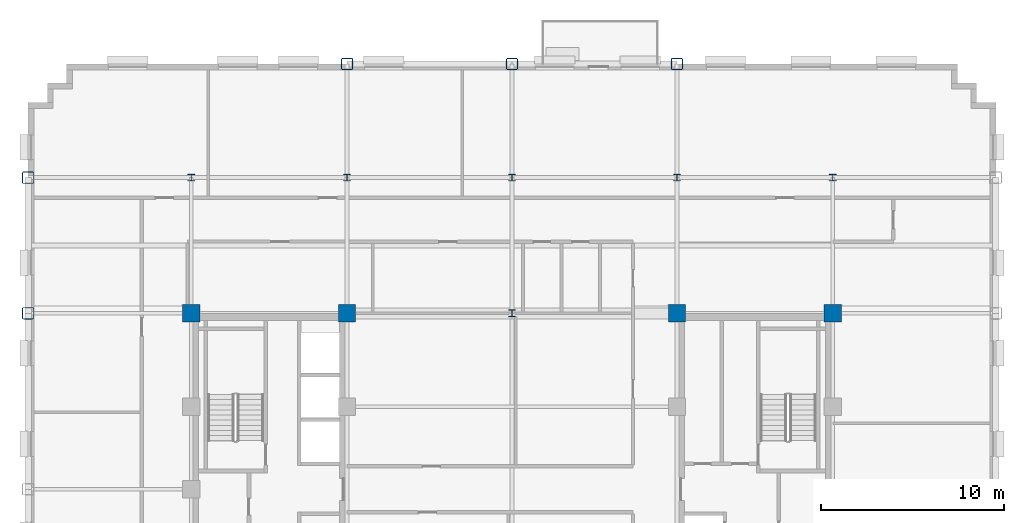
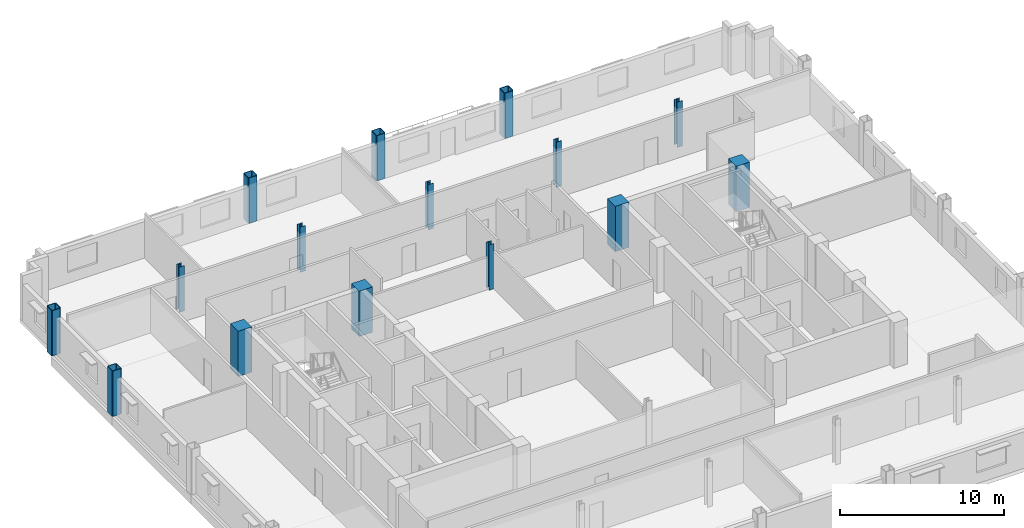
# One storey, part 3 of 14: 15 columns.
"""IFC4 building model written with IfcOpenShell, lengths in metres."""

from ifc_helpers import new_model, si_unit, direction, frame, origin, origin_2d, place, context, subcontext, project, spatial, rectangle, hollow_rectangle, i_section, extrude, material, material_profile, profile_set, type_object, element, save


model = new_model("IFC4")

# Units and contexts
model_context = context("Model", 3, precision=1e-05, world=origin(), true_north=direction((0.0, 1.0)))
body_context = subcontext(model_context, "Body", "Model", "MODEL_VIEW")
ifc_project = project(units=[si_unit("LENGTHUNIT", "METRE"), si_unit("AREAUNIT", "SQUARE_METRE"), si_unit("VOLUMEUNIT", "CUBIC_METRE"), si_unit("PLANEANGLEUNIT", "RADIAN"), si_unit("MASSUNIT", "GRAM", prefix="KILO")], contexts=[model_context])

# Site, building, storey
site_placement = place(None, origin())
site = spatial("IfcSite", under=ifc_project, at=site_placement, CompositionType="ELEMENT")
building_placement = place(site_placement, origin())
building = spatial("IfcBuilding", under=site, at=building_placement, Name="Nuvemarco Arch Tower", CompositionType="ELEMENT")
storey_placement = place(building_placement, frame((0.0, 0.0, 138.449951171875)))
storey = spatial("IfcBuildingStorey", under=building, at=storey_placement, Name="L36", CompositionType="ELEMENT", Elevation=138.449951171875)

# Columns
ifc_material_1 = material(Name="Concrete C50/60", Category="concrete")
ifc_material_profile_1 = material_profile(ifc_material_1, rectangle(XDim=0.949951171875, YDim=0.949951171875, at=origin_2d()), Name="RC-COL-950x950")
ifc_profile_set_1 = profile_set([ifc_material_profile_1], Name="Concrete C50/60")
column_type_1 = type_object("IfcColumnType", Name="COL-CORE-950", PredefinedType="COLUMN", material=ifc_profile_set_1)
for number, where, z_axis, x_axis, name in (
    (1, (-17.5, 9.60009765625, 0.0), (0.0, 0.0, 1.0), (1.0, 0.0, 0.0), "L36 column CC_-17.5_+9.6"),
    (2, (-9.0, 9.60009765625, 0.0), (0.0, 0.0, 1.0), (1.0, 0.0, 0.0), "L36 column CC_-9.0_+9.6"),
    (3, (9.0, 9.60009765625, 0.0), (0.0, 0.0, 1.0), (1.0, 0.0, 0.0), "L36 column CC_+9.0_+9.6"),
    (4, (17.5, 9.60009765625, 0.0), (0.0, 0.0, 1.0), (1.0, 0.0, 0.0), "L36 column CC_+17.5_+9.6"),
):
    element("IfcColumn", number, at=place(storey_placement, frame(where, z_axis=z_axis, x_axis=x_axis)), inside=storey, type_object=column_type_1, Name=name, PredefinedType="COLUMN", context=body_context, shape_type="SweptSolid", body=[
        extrude(rectangle(XDim=0.949951171875, YDim=0.949951171875, at=origin_2d()), origin(), (0.0, 0.0, 1.0), 3.3701171875),
    ])
ifc_material_2 = material(Name="Steel S355", Category="steel")
ifc_material_profile_2 = material_profile(ifc_material_2, hollow_rectangle(XDim=0.64990234375, YDim=0.64990234375, WallThickness=0.0400390625, InnerFilletRadius=0.0400390625, OuterFilletRadius=0.080078125, at=origin_2d()), Name="SHS650x650x40")
ifc_profile_set_2 = profile_set([ifc_material_profile_2], Name="Steel S355")
column_type_2 = type_object("IfcColumnType", Name="COL-EXO-650", PredefinedType="COLUMN", material=ifc_profile_set_2)
for number, where, z_axis, x_axis, name in (
    (5, (-26.39990234375, 9.60009765625, 0.0), (0.0, 0.0, 1.0), (1.0, 0.0, 0.0), "L36 column CX_-26.4_+9.6"),
    (6, (-26.39990234375, 17.0, 0.0), (0.0, 0.0, 1.0), (1.0, 0.0, 0.0), "L36 column CX_-26.4_+17.0"),
    (7, (-9.0, 23.199951171875, 0.0), (0.0, 0.0, 1.0), (1.0, 0.0, 0.0), "L36 column CY_-9.0_+23.2"),
    (8, (0.0, 23.199951171875, 0.0), (0.0, 0.0, 1.0), (1.0, 0.0, 0.0), "L36 column CY_+0.0_+23.2"),
    (9, (9.0, 23.199951171875, 0.0), (0.0, 0.0, 1.0), (1.0, 0.0, 0.0), "L36 column CY_+9.0_+23.2"),
):
    element("IfcColumn", number, at=place(storey_placement, frame(where, z_axis=z_axis, x_axis=x_axis)), inside=storey, type_object=column_type_2, Name=name, PredefinedType="COLUMN", context=body_context, shape_type="SweptSolid", body=[
        extrude(hollow_rectangle(XDim=0.64990234375, YDim=0.64990234375, WallThickness=0.0400390625, InnerFilletRadius=0.0400390625, OuterFilletRadius=0.080078125, at=origin_2d()), origin(), (0.0, 0.0, 1.0), 3.3701171875),
    ])
ifc_material_profile_3 = material_profile(ifc_material_2, i_section(OverallWidth=0.360107421875, OverallDepth=0.360107421875, WebThickness=0.0205078125, FlangeThickness=0.0205078125, FilletRadius=0.01806640625, at=origin_2d()), Name="HP360x174")
ifc_profile_set_3 = profile_set([ifc_material_profile_3], Name="Steel S355")
column_type_3 = type_object("IfcColumnType", Name="COL-STL-HP360", PredefinedType="COLUMN", material=ifc_profile_set_3)
for number, where, z_axis, x_axis, name in (
    (10, (0.0, 9.60009765625, 0.0), (0.0, 0.0, 1.0), (1.0, 0.0, 0.0), "L36 column CI_+0.0_+9.6"),
    (11, (0.0, 17.0, 0.0), (0.0, 0.0, 1.0), (1.0, 0.0, 0.0), "L36 column CI_+0.0_+17.0"),
    (12, (-17.5, 17.0, 0.0), (0.0, 0.0, 1.0), (1.0, 0.0, 0.0), "L36 column CI_-17.5_+17.0"),
    (13, (-9.0, 17.0, 0.0), (0.0, 0.0, 1.0), (1.0, 0.0, 0.0), "L36 column CI_-9.0_+17.0"),
    (14, (9.0, 17.0, 0.0), (0.0, 0.0, 1.0), (1.0, 0.0, 0.0), "L36 column CI_+9.0_+17.0"),
    (15, (17.5, 17.0, 0.0), (0.0, 0.0, 1.0), (1.0, 0.0, 0.0), "L36 column CI_+17.5_+17.0"),
):
    element("IfcColumn", number, at=place(storey_placement, frame(where, z_axis=z_axis, x_axis=x_axis)), inside=storey, type_object=column_type_3, Name=name, PredefinedType="COLUMN", context=body_context, shape_type="SweptSolid", body=[
        extrude(i_section(OverallWidth=0.360107421875, OverallDepth=0.360107421875, WebThickness=0.0205078125, FlangeThickness=0.0205078125, FilletRadius=0.01806640625, at=origin_2d()), origin(), (0.0, 0.0, 1.0), 3.3701171875),
    ])

save(model, "model.ifc")
